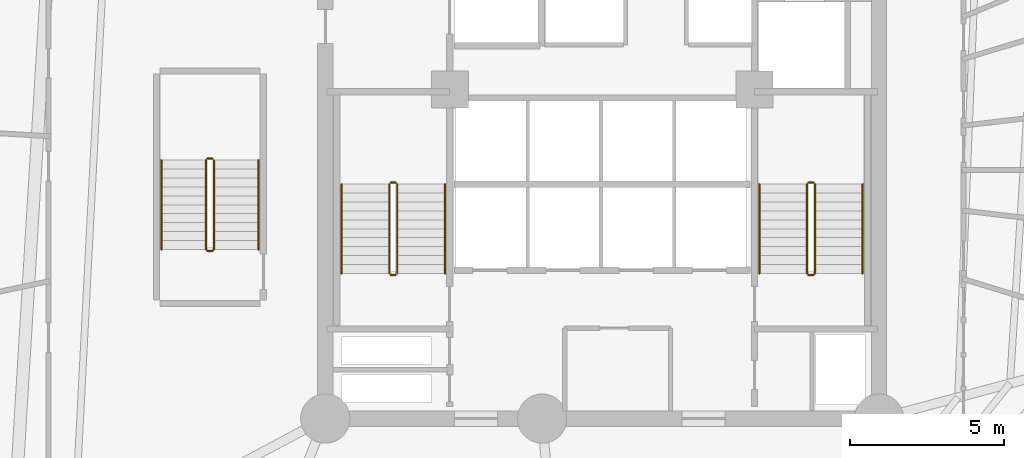
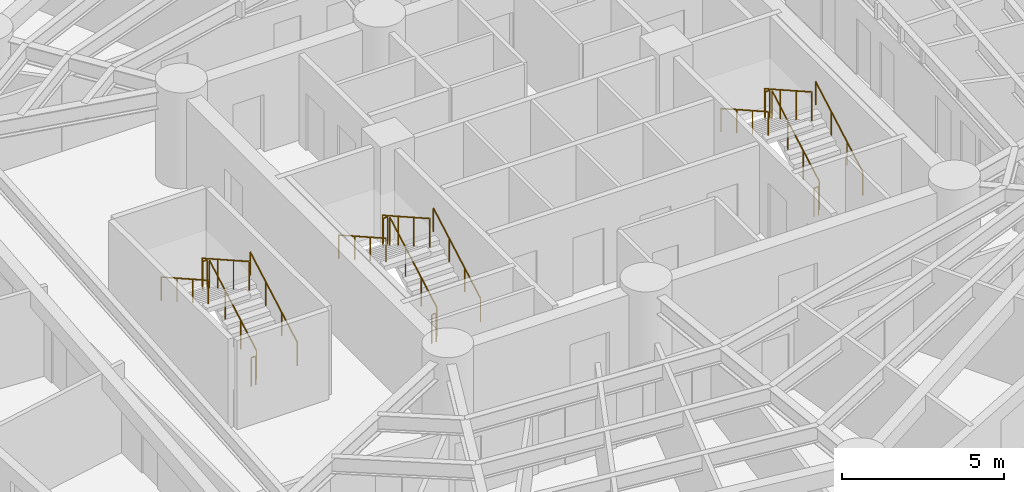
# One storey, part 8 of 8: 18 railings.
"""IFC4 building model written with IfcOpenShell, lengths in metres."""

from ifc_helpers import new_model, si_unit, direction, frame, origin, origin_2d, place, context, subcontext, project, spatial, circle, extrude, material, layer, layer_set, type_object, element, save


model = new_model("IFC4")

# Units and contexts
model_context = context("Model", 3, precision=1e-05, world=origin(), true_north=direction((0.0, 1.0)))
body_context = subcontext(model_context, "Body", "Model", "MODEL_VIEW")
ifc_project = project(units=[si_unit("LENGTHUNIT", "METRE"), si_unit("AREAUNIT", "SQUARE_METRE"), si_unit("VOLUMEUNIT", "CUBIC_METRE"), si_unit("PLANEANGLEUNIT", "RADIAN"), si_unit("MASSUNIT", "GRAM", prefix="KILO")], contexts=[model_context])

# Site, building, storey
site_placement = place(None, origin())
site = spatial("IfcSite", under=ifc_project, at=site_placement, CompositionType="ELEMENT")
building_placement = place(site_placement, origin())
building = spatial("IfcBuilding", under=site, at=building_placement, Name="Karkom Vertical University and Central Library", CompositionType="ELEMENT")
storey_placement = place(building_placement, frame((0.0, 0.0, 55.300048828125)))
storey = spatial("IfcBuildingStorey", under=building, at=storey_placement, Name="L14", CompositionType="ELEMENT", Elevation=55.300048828125)

# Railings
ifc_material_1 = material(Name="Painted galvanised steel balustrade", Category="steel")
ifc_layer_1 = layer(ifc_material_1, 0.06005859375)
ifc_layer_set_1 = layer_set([ifc_layer_1], Name="Painted galvanised steel balustrade")
railing_type_1 = type_object("IfcRailingType", Name="INT-RL-GUARD1100", PredefinedType="GUARDRAIL", material=ifc_layer_set_1)
railing_1_placement = place(storey_placement, frame((21.840087890625, 23.02001953125, 0.16357421875)))
element("IfcRailing", 1, at=railing_1_placement, inside=storey, type_object=railing_type_1, Name="Level 14 ST-1 stair guard 1", PredefinedType="GUARDRAIL", context=body_context, shape_type="SweptSolid", body=[
    extrude(circle(Radius=0.02392578125, at=origin_2d()), frame((0.0, 0.0, 1.076171875), z_axis=(0.0, 0.870897200241, 0.491465224214), x_axis=(-1.0, 0.0, 0.0)), (0.0, 0.0, 1.0), 3.329833984375),
    extrude(circle(Radius=0.02099609375, at=origin_2d()), origin(), (0.0, 0.0, 1.0), 1.052001953125),
    extrude(circle(Radius=0.02099609375, at=origin_2d()), frame((0.0, 0.966552734375, 0.54541015625)), (0.0, 0.0, 1.0), 1.052001953125),
    extrude(circle(Radius=0.02099609375, at=origin_2d()), frame((0.0, 1.933349609375, 1.091064453125)), (0.0, 0.0, 1.0), 1.052001953125),
    extrude(circle(Radius=0.02099609375, at=origin_2d()), frame((0.0, 2.89990234375, 1.636474609375)), (0.0, 0.0, 1.0), 1.052001953125),
])
railing_2_placement = place(storey_placement, frame((21.7900390625, 25.969970703125, 1.800048828125)))
element("IfcRailing", 2, at=railing_2_placement, inside=storey, type_object=railing_type_1, Name="Level 14 ST-1 stair guard 2", PredefinedType="GUARDRAIL", context=body_context, shape_type="SweptSolid", body=[
    extrude(circle(Radius=0.02392578125, at=origin_2d()), frame((0.0, 0.0, 1.076171875), z_axis=(-1.0, 0.0, 0.0), x_axis=(0.0, -1.0, 0.0)), (0.0, 0.0, 1.0), 0.16015625),
    extrude(circle(Radius=0.02099609375, at=origin_2d()), origin(), (0.0, 0.0, 1.0), 1.052001953125),
    extrude(circle(Radius=0.02099609375, at=origin_2d()), frame((-0.16015625, 0.0, 0.0)), (0.0, 0.0, 1.0), 1.052001953125),
])
railing_3_placement = place(storey_placement, frame((21.580078125, 25.919921875, 1.963623046875)))
element("IfcRailing", 3, at=railing_3_placement, inside=storey, type_object=railing_type_1, Name="Level 14 ST-1 stair guard 3", PredefinedType="GUARDRAIL", context=body_context, shape_type="SweptSolid", body=[
    extrude(circle(Radius=0.02392578125, at=origin_2d()), frame((0.0, 0.0, 1.076171875), z_axis=(0.0, -0.870928581787, 0.491409610636), x_axis=(1.0, 0.0, 0.0)), (0.0, 0.0, 1.0), 3.32958984375),
    extrude(circle(Radius=0.02099609375, at=origin_2d()), origin(), (0.0, 0.0, 1.0), 1.052001953125),
    extrude(circle(Radius=0.02099609375, at=origin_2d()), frame((0.0, -0.966552734375, 0.54541015625)), (0.0, 0.0, 1.0), 1.052001953125),
    extrude(circle(Radius=0.02099609375, at=origin_2d()), frame((0.0, -1.933349609375, 1.0908203125)), (0.0, 0.0, 1.0), 1.052001953125),
    extrude(circle(Radius=0.02099609375, at=origin_2d()), frame((0.0, -2.89990234375, 1.63623046875)), (0.0, 0.0, 1.0), 1.052001953125),
])
railing_4_placement = place(storey_placement, frame((21.7900390625, 22.969970703125, 0.0)))
element("IfcRailing", 4, at=railing_4_placement, inside=storey, type_object=railing_type_1, Name="Level 14 ST-1 stair guard 4", PredefinedType="GUARDRAIL", context=body_context, shape_type="SweptSolid", body=[
    extrude(circle(Radius=0.02392578125, at=origin_2d()), frame((0.0, 0.0, 1.076171875), z_axis=(-1.0, 0.0, 0.0), x_axis=(0.0, -1.0, 0.0)), (0.0, 0.0, 1.0), 0.16015625),
    extrude(circle(Radius=0.02099609375, at=origin_2d()), origin(), (0.0, 0.0, 1.0), 1.052001953125),
    extrude(circle(Radius=0.02099609375, at=origin_2d()), frame((-0.16015625, 0.0, 0.0)), (0.0, 0.0, 1.0), 1.052001953125),
])
railing_5_placement = place(storey_placement, frame((35.419921875, 23.02001953125, 0.16357421875)))
element("IfcRailing", 5, at=railing_5_placement, inside=storey, type_object=railing_type_1, Name="Level 14 ST-2 stair guard 1", PredefinedType="GUARDRAIL", context=body_context, shape_type="SweptSolid", body=[
    extrude(circle(Radius=0.02392578125, at=origin_2d()), frame((0.0, 0.0, 1.076171875), z_axis=(0.0, 0.870897200241, 0.491465224214), x_axis=(-1.0, 0.0, 0.0)), (0.0, 0.0, 1.0), 3.329833984375),
    extrude(circle(Radius=0.02099609375, at=origin_2d()), origin(), (0.0, 0.0, 1.0), 1.052001953125),
    extrude(circle(Radius=0.02099609375, at=origin_2d()), frame((0.0, 0.966552734375, 0.54541015625)), (0.0, 0.0, 1.0), 1.052001953125),
    extrude(circle(Radius=0.02099609375, at=origin_2d()), frame((0.0, 1.933349609375, 1.091064453125)), (0.0, 0.0, 1.0), 1.052001953125),
    extrude(circle(Radius=0.02099609375, at=origin_2d()), frame((0.0, 2.89990234375, 1.636474609375)), (0.0, 0.0, 1.0), 1.052001953125),
])
railing_6_placement = place(storey_placement, frame((35.3701171875, 25.969970703125, 1.800048828125)))
element("IfcRailing", 6, at=railing_6_placement, inside=storey, type_object=railing_type_1, Name="Level 14 ST-2 stair guard 2", PredefinedType="GUARDRAIL", context=body_context, shape_type="SweptSolid", body=[
    extrude(circle(Radius=0.02392578125, at=origin_2d()), frame((0.0, 0.0, 1.076171875), z_axis=(-1.0, 0.0, 0.0), x_axis=(0.0, -1.0, 0.0)), (0.0, 0.0, 1.0), 0.16015625),
    extrude(circle(Radius=0.02099609375, at=origin_2d()), origin(), (0.0, 0.0, 1.0), 1.052001953125),
    extrude(circle(Radius=0.02099609375, at=origin_2d()), frame((-0.16015625, 0.0, 0.0)), (0.0, 0.0, 1.0), 1.052001953125),
])
railing_7_placement = place(storey_placement, frame((35.159912109375, 25.919921875, 1.963623046875)))
element("IfcRailing", 7, at=railing_7_placement, inside=storey, type_object=railing_type_1, Name="Level 14 ST-2 stair guard 3", PredefinedType="GUARDRAIL", context=body_context, shape_type="SweptSolid", body=[
    extrude(circle(Radius=0.02392578125, at=origin_2d()), frame((0.0, 0.0, 1.076171875), z_axis=(0.0, -0.870928581787, 0.491409610636), x_axis=(1.0, 0.0, 0.0)), (0.0, 0.0, 1.0), 3.32958984375),
    extrude(circle(Radius=0.02099609375, at=origin_2d()), origin(), (0.0, 0.0, 1.0), 1.052001953125),
    extrude(circle(Radius=0.02099609375, at=origin_2d()), frame((0.0, -0.966552734375, 0.54541015625)), (0.0, 0.0, 1.0), 1.052001953125),
    extrude(circle(Radius=0.02099609375, at=origin_2d()), frame((0.0, -1.933349609375, 1.0908203125)), (0.0, 0.0, 1.0), 1.052001953125),
    extrude(circle(Radius=0.02099609375, at=origin_2d()), frame((0.0, -2.89990234375, 1.63623046875)), (0.0, 0.0, 1.0), 1.052001953125),
])
railing_8_placement = place(storey_placement, frame((35.3701171875, 22.969970703125, 0.0)))
element("IfcRailing", 8, at=railing_8_placement, inside=storey, type_object=railing_type_1, Name="Level 14 ST-2 stair guard 4", PredefinedType="GUARDRAIL", context=body_context, shape_type="SweptSolid", body=[
    extrude(circle(Radius=0.02392578125, at=origin_2d()), frame((0.0, 0.0, 1.076171875), z_axis=(-1.0, 0.0, 0.0), x_axis=(0.0, -1.0, 0.0)), (0.0, 0.0, 1.0), 0.16015625),
    extrude(circle(Radius=0.02099609375, at=origin_2d()), origin(), (0.0, 0.0, 1.0), 1.052001953125),
    extrude(circle(Radius=0.02099609375, at=origin_2d()), frame((-0.16015625, 0.0, 0.0)), (0.0, 0.0, 1.0), 1.052001953125),
])
railing_9_placement = place(storey_placement, frame((15.8798828125, 23.800048828125, 0.16357421875)))
element("IfcRailing", 9, at=railing_9_placement, inside=storey, type_object=railing_type_1, Name="Level 14 ST-3 stair guard 1", PredefinedType="GUARDRAIL", context=body_context, shape_type="SweptSolid", body=[
    extrude(circle(Radius=0.02392578125, at=origin_2d()), frame((0.0, 0.0, 1.076171875), z_axis=(0.0, 0.870897200241, 0.491465224214), x_axis=(-1.0, 0.0, 0.0)), (0.0, 0.0, 1.0), 3.329833984375),
    extrude(circle(Radius=0.02099609375, at=origin_2d()), origin(), (0.0, 0.0, 1.0), 1.052001953125),
    extrude(circle(Radius=0.02099609375, at=origin_2d()), frame((0.0, 0.966552734375, 0.54541015625)), (0.0, 0.0, 1.0), 1.052001953125),
    extrude(circle(Radius=0.02099609375, at=origin_2d()), frame((0.0, 1.933349609375, 1.091064453125)), (0.0, 0.0, 1.0), 1.052001953125),
    extrude(circle(Radius=0.02099609375, at=origin_2d()), frame((0.0, 2.89990234375, 1.636474609375)), (0.0, 0.0, 1.0), 1.052001953125),
])
railing_10_placement = place(storey_placement, frame((15.830078125, 26.75, 1.800048828125)))
element("IfcRailing", 10, at=railing_10_placement, inside=storey, type_object=railing_type_1, Name="Level 14 ST-3 stair guard 2", PredefinedType="GUARDRAIL", context=body_context, shape_type="SweptSolid", body=[
    extrude(circle(Radius=0.02392578125, at=origin_2d()), frame((0.0, 0.0, 1.076171875), z_axis=(-1.0, 0.0, 0.0), x_axis=(0.0, -1.0, 0.0)), (0.0, 0.0, 1.0), 0.16015625),
    extrude(circle(Radius=0.02099609375, at=origin_2d()), origin(), (0.0, 0.0, 1.0), 1.052001953125),
    extrude(circle(Radius=0.02099609375, at=origin_2d()), frame((-0.16015625, 0.0, 0.0)), (0.0, 0.0, 1.0), 1.052001953125),
])
railing_11_placement = place(storey_placement, frame((15.6201171875, 26.699951171875, 1.963623046875)))
element("IfcRailing", 11, at=railing_11_placement, inside=storey, type_object=railing_type_1, Name="Level 14 ST-3 stair guard 3", PredefinedType="GUARDRAIL", context=body_context, shape_type="SweptSolid", body=[
    extrude(circle(Radius=0.02392578125, at=origin_2d()), frame((0.0, 0.0, 1.076171875), z_axis=(0.0, -0.870928581787, 0.491409610636), x_axis=(1.0, 0.0, 0.0)), (0.0, 0.0, 1.0), 3.32958984375),
    extrude(circle(Radius=0.02099609375, at=origin_2d()), origin(), (0.0, 0.0, 1.0), 1.052001953125),
    extrude(circle(Radius=0.02099609375, at=origin_2d()), frame((0.0, -0.966552734375, 0.54541015625)), (0.0, 0.0, 1.0), 1.052001953125),
    extrude(circle(Radius=0.02099609375, at=origin_2d()), frame((0.0, -1.933349609375, 1.0908203125)), (0.0, 0.0, 1.0), 1.052001953125),
    extrude(circle(Radius=0.02099609375, at=origin_2d()), frame((0.0, -2.89990234375, 1.63623046875)), (0.0, 0.0, 1.0), 1.052001953125),
])
railing_12_placement = place(storey_placement, frame((15.830078125, 23.75, 0.0)))
element("IfcRailing", 12, at=railing_12_placement, inside=storey, type_object=railing_type_1, Name="Level 14 ST-3 stair guard 4", PredefinedType="GUARDRAIL", context=body_context, shape_type="SweptSolid", body=[
    extrude(circle(Radius=0.02392578125, at=origin_2d()), frame((0.0, 0.0, 1.076171875), z_axis=(-1.0, 0.0, 0.0), x_axis=(0.0, -1.0, 0.0)), (0.0, 0.0, 1.0), 0.16015625),
    extrude(circle(Radius=0.02099609375, at=origin_2d()), origin(), (0.0, 0.0, 1.0), 1.052001953125),
    extrude(circle(Radius=0.02099609375, at=origin_2d()), frame((-0.16015625, 0.0, 0.0)), (0.0, 0.0, 1.0), 1.052001953125),
])
ifc_material_2 = material(Name="Brushed stainless-steel tubular handrail", Category="steel")
ifc_layer_2 = layer(ifc_material_2, 0.048095703125)
ifc_layer_set_2 = layer_set([ifc_layer_2], Name="Brushed stainless-steel tubular handrail")
railing_type_2 = type_object("IfcRailingType", Name="INT-RL-HAND920", PredefinedType="HANDRAIL", material=ifc_layer_set_2)
railing_13_placement = place(storey_placement, frame((23.389892578125, 23.02001953125, 0.16357421875)))
element("IfcRailing", 13, at=railing_13_placement, inside=storey, type_object=railing_type_2, Name="Level 14 ST-1 stair handrail 1", PredefinedType="HANDRAIL", context=body_context, shape_type="SweptSolid", body=[
    extrude(circle(Radius=0.02392578125, at=origin_2d()), frame((0.0, 0.0, 0.8759765625), z_axis=(0.0, 0.870897200241, 0.491465224214), x_axis=(-1.0, 0.0, 0.0)), (0.0, 0.0, 1.0), 3.329833984375),
    extrude(circle(Radius=0.02099609375, at=origin_2d()), origin(), (0.0, 0.0, 1.0), 0.851806640625),
    extrude(circle(Radius=0.02099609375, at=origin_2d()), frame((0.0, 0.966552734375, 0.54541015625)), (0.0, 0.0, 1.0), 0.851806640625),
    extrude(circle(Radius=0.02099609375, at=origin_2d()), frame((0.0, 1.933349609375, 1.091064453125)), (0.0, 0.0, 1.0), 0.851806640625),
    extrude(circle(Radius=0.02099609375, at=origin_2d()), frame((0.0, 2.89990234375, 1.636474609375)), (0.0, 0.0, 1.0), 0.851806640625),
])
railing_14_placement = place(storey_placement, frame((20.030029296875, 25.919921875, 1.963623046875)))
element("IfcRailing", 14, at=railing_14_placement, inside=storey, type_object=railing_type_2, Name="Level 14 ST-1 stair handrail 2", PredefinedType="HANDRAIL", context=body_context, shape_type="SweptSolid", body=[
    extrude(circle(Radius=0.02392578125, at=origin_2d()), frame((0.0, 0.0, 0.8759765625), z_axis=(0.0, -0.870928581787, 0.491409610636), x_axis=(1.0, 0.0, 0.0)), (0.0, 0.0, 1.0), 3.32958984375),
    extrude(circle(Radius=0.02099609375, at=origin_2d()), origin(), (0.0, 0.0, 1.0), 0.851806640625),
    extrude(circle(Radius=0.02099609375, at=origin_2d()), frame((0.0, -0.966552734375, 0.54541015625)), (0.0, 0.0, 1.0), 0.851806640625),
    extrude(circle(Radius=0.02099609375, at=origin_2d()), frame((0.0, -1.933349609375, 1.0908203125)), (0.0, 0.0, 1.0), 0.851806640625),
    extrude(circle(Radius=0.02099609375, at=origin_2d()), frame((0.0, -2.89990234375, 1.63623046875)), (0.0, 0.0, 1.0), 0.851806640625),
])
railing_15_placement = place(storey_placement, frame((36.969970703125, 23.02001953125, 0.16357421875)))
element("IfcRailing", 15, at=railing_15_placement, inside=storey, type_object=railing_type_2, Name="Level 14 ST-2 stair handrail 1", PredefinedType="HANDRAIL", context=body_context, shape_type="SweptSolid", body=[
    extrude(circle(Radius=0.02392578125, at=origin_2d()), frame((0.0, 0.0, 0.8759765625), z_axis=(0.0, 0.870897200241, 0.491465224214), x_axis=(-1.0, 0.0, 0.0)), (0.0, 0.0, 1.0), 3.329833984375),
    extrude(circle(Radius=0.02099609375, at=origin_2d()), origin(), (0.0, 0.0, 1.0), 0.851806640625),
    extrude(circle(Radius=0.02099609375, at=origin_2d()), frame((0.0, 0.966552734375, 0.54541015625)), (0.0, 0.0, 1.0), 0.851806640625),
    extrude(circle(Radius=0.02099609375, at=origin_2d()), frame((0.0, 1.933349609375, 1.091064453125)), (0.0, 0.0, 1.0), 0.851806640625),
    extrude(circle(Radius=0.02099609375, at=origin_2d()), frame((0.0, 2.89990234375, 1.636474609375)), (0.0, 0.0, 1.0), 0.851806640625),
])
railing_16_placement = place(storey_placement, frame((33.610107421875, 25.919921875, 1.963623046875)))
element("IfcRailing", 16, at=railing_16_placement, inside=storey, type_object=railing_type_2, Name="Level 14 ST-2 stair handrail 2", PredefinedType="HANDRAIL", context=body_context, shape_type="SweptSolid", body=[
    extrude(circle(Radius=0.02392578125, at=origin_2d()), frame((0.0, 0.0, 0.8759765625), z_axis=(0.0, -0.870928581787, 0.491409610636), x_axis=(1.0, 0.0, 0.0)), (0.0, 0.0, 1.0), 3.32958984375),
    extrude(circle(Radius=0.02099609375, at=origin_2d()), origin(), (0.0, 0.0, 1.0), 0.851806640625),
    extrude(circle(Radius=0.02099609375, at=origin_2d()), frame((0.0, -0.966552734375, 0.54541015625)), (0.0, 0.0, 1.0), 0.851806640625),
    extrude(circle(Radius=0.02099609375, at=origin_2d()), frame((0.0, -1.933349609375, 1.0908203125)), (0.0, 0.0, 1.0), 0.851806640625),
    extrude(circle(Radius=0.02099609375, at=origin_2d()), frame((0.0, -2.89990234375, 1.63623046875)), (0.0, 0.0, 1.0), 0.851806640625),
])
railing_17_placement = place(storey_placement, frame((17.330078125, 23.800048828125, 0.16357421875)))
element("IfcRailing", 17, at=railing_17_placement, inside=storey, type_object=railing_type_2, Name="Level 14 ST-3 stair handrail 1", PredefinedType="HANDRAIL", context=body_context, shape_type="SweptSolid", body=[
    extrude(circle(Radius=0.02392578125, at=origin_2d()), frame((0.0, 0.0, 0.8759765625), z_axis=(0.0, 0.870897200241, 0.491465224214), x_axis=(-1.0, 0.0, 0.0)), (0.0, 0.0, 1.0), 3.329833984375),
    extrude(circle(Radius=0.02099609375, at=origin_2d()), origin(), (0.0, 0.0, 1.0), 0.851806640625),
    extrude(circle(Radius=0.02099609375, at=origin_2d()), frame((0.0, 0.966552734375, 0.54541015625)), (0.0, 0.0, 1.0), 0.851806640625),
    extrude(circle(Radius=0.02099609375, at=origin_2d()), frame((0.0, 1.933349609375, 1.091064453125)), (0.0, 0.0, 1.0), 0.851806640625),
    extrude(circle(Radius=0.02099609375, at=origin_2d()), frame((0.0, 2.89990234375, 1.636474609375)), (0.0, 0.0, 1.0), 0.851806640625),
])
railing_18_placement = place(storey_placement, frame((14.169921875, 26.699951171875, 1.963623046875)))
element("IfcRailing", 18, at=railing_18_placement, inside=storey, type_object=railing_type_2, Name="Level 14 ST-3 stair handrail 2", PredefinedType="HANDRAIL", context=body_context, shape_type="SweptSolid", body=[
    extrude(circle(Radius=0.02392578125, at=origin_2d()), frame((0.0, 0.0, 0.8759765625), z_axis=(0.0, -0.870928581787, 0.491409610636), x_axis=(1.0, 0.0, 0.0)), (0.0, 0.0, 1.0), 3.32958984375),
    extrude(circle(Radius=0.02099609375, at=origin_2d()), origin(), (0.0, 0.0, 1.0), 0.851806640625),
    extrude(circle(Radius=0.02099609375, at=origin_2d()), frame((0.0, -0.966552734375, 0.54541015625)), (0.0, 0.0, 1.0), 0.851806640625),
    extrude(circle(Radius=0.02099609375, at=origin_2d()), frame((0.0, -1.933349609375, 1.0908203125)), (0.0, 0.0, 1.0), 0.851806640625),
    extrude(circle(Radius=0.02099609375, at=origin_2d()), frame((0.0, -2.89990234375, 1.63623046875)), (0.0, 0.0, 1.0), 0.851806640625),
])

save(model, "model.ifc")
